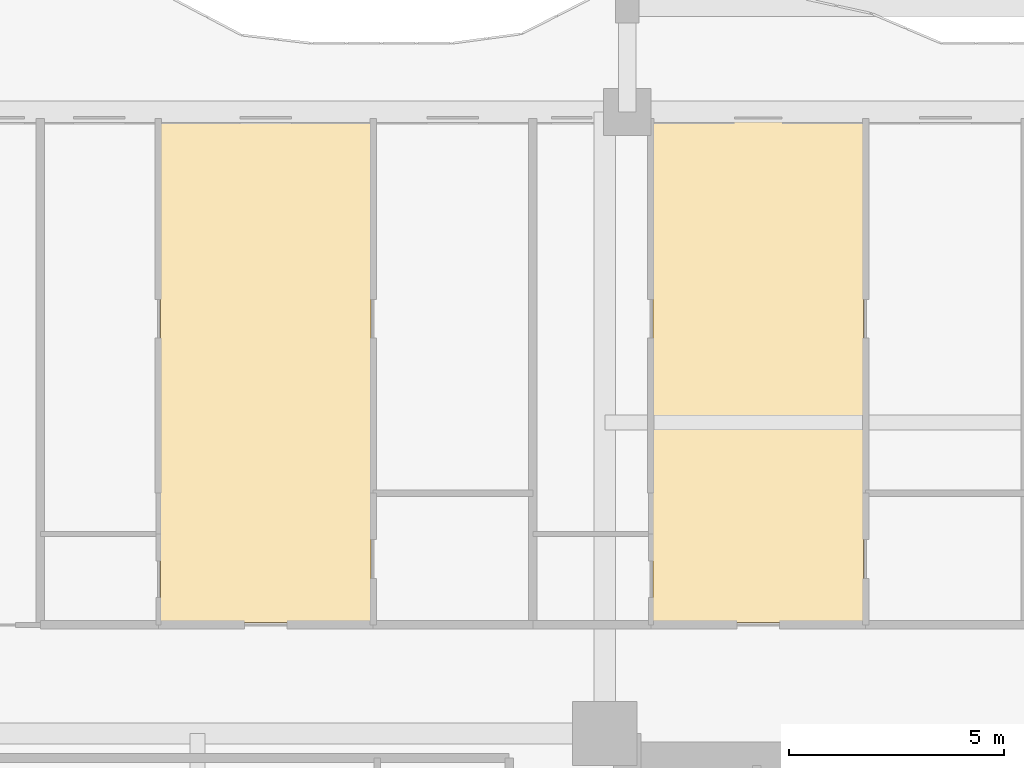
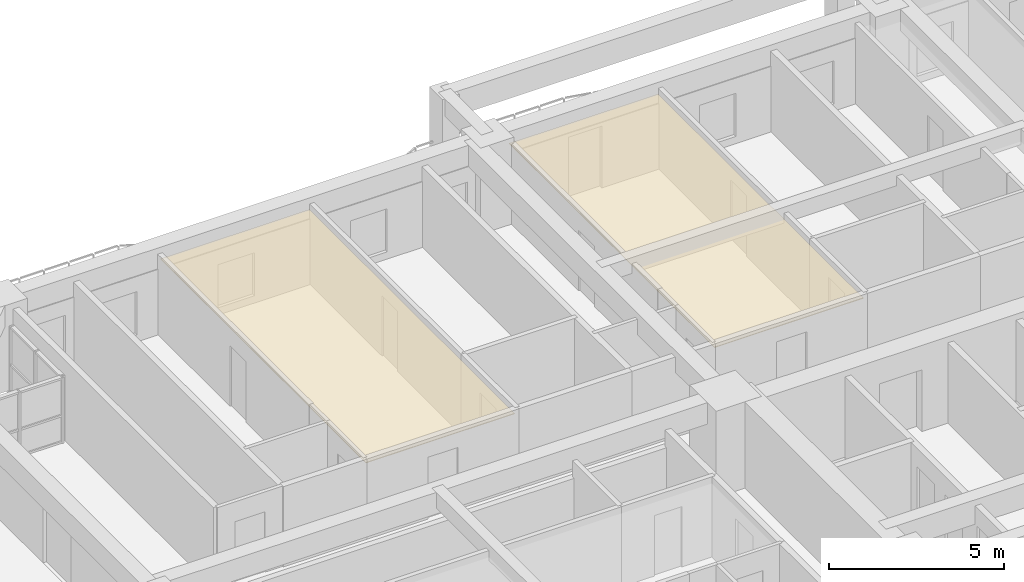
# One storey, part 26 of 27: 2 coverings.
"""IFC4 building model written with IfcOpenShell, lengths in metres."""

from ifc_helpers import new_model, si_unit, direction, frame, origin, place, context, subcontext, project, spatial, polyline, outline, extrude, material, layer, layer_set, type_object, element, save


model = new_model("IFC4")

# Units and contexts
model_context = context("Model", 3, precision=1e-05, world=origin(), true_north=direction((0.0, 1.0)))
body_context = subcontext(model_context, "Body", "Model", "MODEL_VIEW")
ifc_project = project(units=[si_unit("LENGTHUNIT", "METRE"), si_unit("AREAUNIT", "SQUARE_METRE"), si_unit("VOLUMEUNIT", "CUBIC_METRE"), si_unit("PLANEANGLEUNIT", "RADIAN"), si_unit("MASSUNIT", "GRAM", prefix="KILO")], contexts=[model_context])

# Site, building, storey
site_placement = place(None, origin())
site = spatial("IfcSite", under=ifc_project, at=site_placement, CompositionType="ELEMENT")
building_placement = place(site_placement, origin())
building = spatial("IfcBuilding", under=site, at=building_placement, Name="Saelheon Loggia Tower", CompositionType="ELEMENT")
storey_placement = place(building_placement, frame((0.0, 0.0, 43.39990234375)))
storey = spatial("IfcBuildingStorey", under=building, at=storey_placement, Name="L13", CompositionType="ELEMENT", Elevation=43.39990234375)

# Coverings
ifc_material = material(Name="Mineral-Fibre Acoustic Ceiling Board", Category="gypsum")
ifc_layer = layer(ifc_material, 0.02490234375)
ifc_layer_set = layer_set([ifc_layer], Name="Mineral-Fibre Acoustic Ceiling Board")
covering_type = type_object("IfcCoveringType", Name="Cov_Ceiling_Acoustic", PredefinedType="CEILING", material=ifc_layer_set)
covering_1_placement = place(storey_placement, frame((0.0, 0.0, 2.53515625)))
element("IfcCovering", 1, at=covering_1_placement, inside=storey, type_object=covering_type, Name="L13 Acoustic Suspended Ceiling", PredefinedType="CEILING", context=body_context, shape_type="SweptSolid", body=[
    extrude(outline(polyline([(20.6298828125, 39.10009765625), (25.529541015625, 39.10009765625), (25.529541015625, 50.800048828125), (20.6298828125, 50.800048828125), (20.6298828125, 39.10009765625)])), origin(), (0.0, 0.0, 1.0), 0.02490234375),
])
covering_2_placement = place(storey_placement, frame((0.0, 0.0, 2.53515625)))
element("IfcCovering", 2, at=covering_2_placement, inside=storey, type_object=covering_type, Name="L13 Acoustic Suspended Ceiling", PredefinedType="CEILING", context=body_context, shape_type="SweptSolid", body=[
    extrude(outline(polyline([(32.102294921875, 39.10009765625), (37.001708984375, 39.10009765625), (37.001708984375, 50.800048828125), (32.102294921875, 50.800048828125), (32.102294921875, 39.10009765625)])), origin(), (0.0, 0.0, 1.0), 0.02490234375),
])

save(model, "model.ifc")
